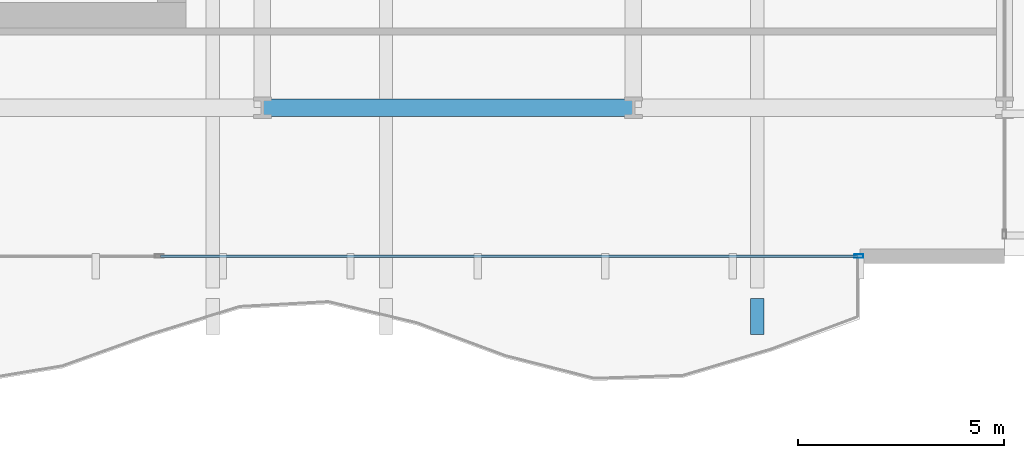
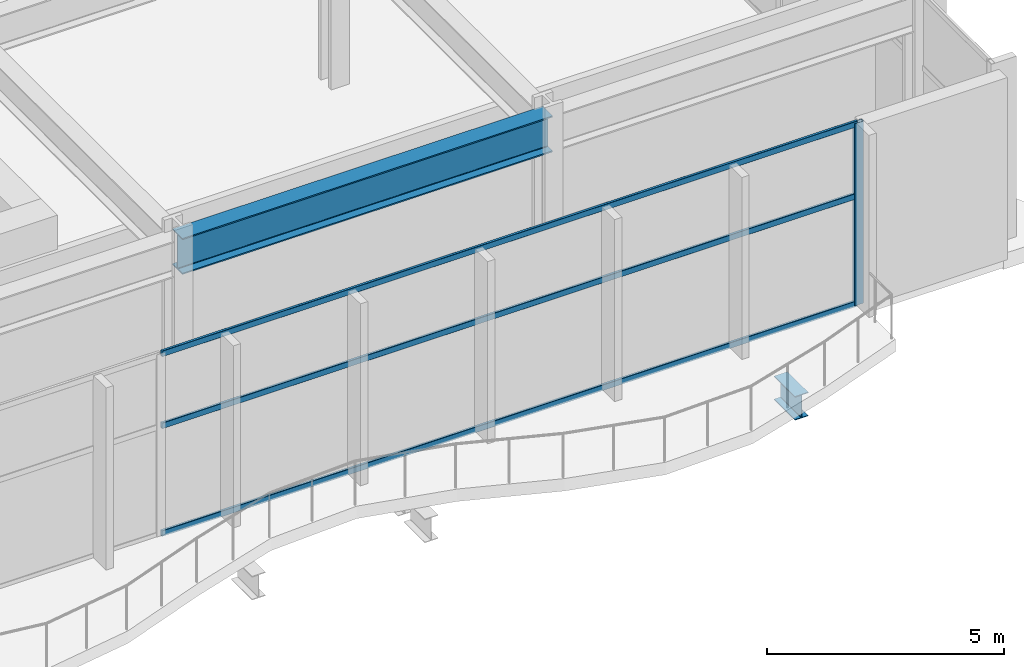
# One storey, part 8 of 28: 4 members, 2 beams, 1 element without a shape of its own.
"""IFC4 building model written with IfcOpenShell, lengths in metres."""

import ifcopenshell
import ifcopenshell.guid

model = None  # the IFC model being written
_history = None  # IfcOwnerHistory: only IFC2X3 demands one
_inside = {}  # id of a spatial element -> (the spatial element, [elements in it])
_under = {}  # id of a project, library or spatial element -> (it, [spatial elements below it])
_declared = {}  # id of a project -> (the project, [libraries it declares])
_typed = {}  # id of a type object -> (the type object, [elements of that type])
_made_of = {}  # id of a material, layer set ... -> (it, [elements and type objects made of it])


def new_model(schema):
    """Start an empty IFC model of exactly this schema.

    Asked for "IFC4X3", IfcOpenShell would pick the latest addendum, in which some entities
    have other attributes; the version numbers below select the first issue.
    IFC2X3 requires an IfcOwnerHistory on every rooted entity: one is made here for all.
    """
    global model, _history
    if schema == "IFC4X3":
        model = ifcopenshell.file(schema_version=(4, 3, 0, 0))
    else:
        model = ifcopenshell.file(schema=schema)
    _inside.clear()
    _under.clear()
    _declared.clear()
    _typed.clear()
    _made_of.clear()
    _history = None
    if model.schema == "IFC2X3":
        org = make("IfcOrganization", Name="unknown")
        user = make(
            "IfcPersonAndOrganization",
            ThePerson=make("IfcPerson", FamilyName="unknown"),
            TheOrganization=org,
        )
        app = make(
            "IfcApplication",
            ApplicationDeveloper=org,
            Version="unknown",
            ApplicationFullName="unknown",
            ApplicationIdentifier="unknown",
        )
        _history = make(
            "IfcOwnerHistory",
            OwningUser=user,
            OwningApplication=app,
            ChangeAction="ADDED",
            CreationDate=0,
        )
    return model


def make(cls, **values):
    """One entity of the class cls with the attributes given. An attribute that is None is left unset."""
    return model.create_entity(
        cls, **{name: value for name, value in values.items() if value is not None}
    )


def rooted(cls, **values):
    """An entity with a GlobalId (a new one), such as an element, a storey or a relation."""
    return make(cls, GlobalId=ifcopenshell.guid.new(), OwnerHistory=_history, **values)


def si_unit(unit_type, name, prefix=None):
    """IfcSIUnit, for example si_unit("LENGTHUNIT", "METRE", prefix="MILLI")."""
    return make("IfcSIUnit", UnitType=unit_type, Prefix=prefix, Name=name)


def assignment(units):
    """IfcUnitAssignment: the units of a project."""
    return None if units is None else make("IfcUnitAssignment", Units=units)


def point(xyz):
    """IfcCartesianPoint."""
    return None if xyz is None else make("IfcCartesianPoint", Coordinates=xyz)


def direction(xyz):
    """IfcDirection."""
    return None if xyz is None else make("IfcDirection", DirectionRatios=xyz)


def frame(location, z_axis=None, x_axis=None):
    """IfcAxis2Placement3D, a coordinate frame: its origin and axes. An axis left out is left unset."""
    return make(
        "IfcAxis2Placement3D",
        Location=point(location),
        Axis=direction(z_axis),
        RefDirection=direction(x_axis),
    )


def frame_2d(location, x_axis=None):
    """IfcAxis2Placement2D, a coordinate frame in the plane: its origin and x axis."""
    return make(
        "IfcAxis2Placement2D", Location=point(location), RefDirection=direction(x_axis)
    )


def origin():
    """The frame at (0, 0, 0) with its axes left unset."""
    return frame((0.0, 0.0, 0.0))


def origin_2d():
    """The frame at (0, 0) in the plane with its x axis left unset."""
    return frame_2d((0.0, 0.0))


def place(relative_to, where):
    """IfcLocalPlacement: puts the frame where relative to a parent placement (None: the world)."""
    return make(
        "IfcLocalPlacement", PlacementRelTo=relative_to, RelativePlacement=where
    )


def context(
    kind, dimensions, precision=None, world=None, true_north=None, identifier=None
):
    """IfcGeometricRepresentationContext, for example the 3D "Model" context."""
    return make(
        "IfcGeometricRepresentationContext",
        ContextIdentifier=identifier,
        ContextType=kind,
        CoordinateSpaceDimension=dimensions,
        Precision=precision,
        WorldCoordinateSystem=world,
        TrueNorth=true_north,
    )


def subcontext(parent, identifier, kind, view, scale=None):
    """IfcGeometricRepresentationSubContext, for example "Body" below "Model"."""
    return make(
        "IfcGeometricRepresentationSubContext",
        ContextIdentifier=identifier,
        ContextType=kind,
        ParentContext=parent,
        TargetScale=scale,
        TargetView=view,
    )


def project(units=None, contexts=None):
    """IfcProject with its units and contexts."""
    return rooted(
        "IfcProject",
        Name="project",
        RepresentationContexts=contexts,
        UnitsInContext=assignment(units),
    )


def spatial(cls, under=None, at=None, **own):
    """A site, building, storey or space (cls), placed at a placement, below another one or the project."""
    s = rooted(cls, ObjectPlacement=at, **own)
    if under is not None:
        _under.setdefault(under.id(), (under, []))[1].append(s)
    return s


def profile(cls, at=None, kind="AREA", **sizes):
    """A parametric profile (cls). Its sizes go by their IFC names, for example OverallWidth=200.0."""
    return make(cls, ProfileType=kind, Position=at, **sizes)


def hollow_rectangle(**sizes):
    """IfcRectangleHollowProfileDef."""
    return profile("IfcRectangleHollowProfileDef", **sizes)


def i_section(**sizes):
    """IfcIShapeProfileDef."""
    return profile("IfcIShapeProfileDef", **sizes)


def extrude(swept, where, along, depth):
    """IfcExtrudedAreaSolid: the profile swept, set in the frame where, extruded along a direction by depth."""
    return make(
        "IfcExtrudedAreaSolid",
        SweptArea=swept,
        Position=where,
        ExtrudedDirection=direction(along),
        Depth=depth,
    )


def shape(context_of_items, identifier, shape_type, items):
    """IfcShapeRepresentation: the items that make up one representation, for example the "Body"."""
    return make(
        "IfcShapeRepresentation",
        ContextOfItems=context_of_items,
        RepresentationIdentifier=identifier,
        RepresentationType=shape_type,
        Items=items,
    )


def material(Name=None, Category=None):
    """IfcMaterial."""
    return make("IfcMaterial", Name=Name, Category=Category)


def layer(
    of_material, thickness, ventilated=None, Name=None, Category=None, Priority=None
):
    """IfcMaterialLayer: one layer of a wall or slab, of a material (None: an air gap)."""
    return make(
        "IfcMaterialLayer",
        Material=of_material,
        LayerThickness=thickness,
        IsVentilated=ventilated,
        Name=Name,
        Category=Category,
        Priority=Priority,
    )


def layer_set(layers, Name=None):
    """IfcMaterialLayerSet."""
    return make("IfcMaterialLayerSet", MaterialLayers=layers, LayerSetName=Name)


def material_profile(
    of_material, cross_section, Name=None, Category=None, Priority=None
):
    """IfcMaterialProfile: a cross section and its material."""
    return make(
        "IfcMaterialProfile",
        Name=Name,
        Material=of_material,
        Profile=cross_section,
        Priority=Priority,
        Category=Category,
    )


def profile_set(profiles, Name=None, composite=None):
    """IfcMaterialProfileSet."""
    return make(
        "IfcMaterialProfileSet",
        Name=Name,
        MaterialProfiles=profiles,
        CompositeProfile=composite,
    )


def made_of(thing, what):
    """Note that an element or type object is made of a material, layer set ...; save() writes the relation."""
    if what is not None:
        _made_of.setdefault(what.id(), (what, []))[1].append(thing)
    return thing


def type_object(cls, material=None, **own):
    """A type object (cls), such as IfcWallType, which elements share."""
    return made_of(rooted(cls, **own), material)


def element(
    cls,
    number,
    at=None,
    inside=None,
    cuts=None,
    type_object=None,
    material=None,
    context=None,
    identifier="Body",
    shape_type=None,
    held_by="IfcProductDefinitionShape",
    body=None,
    shapes=None,
    **own,
):
    """One element of the class cls, such as IfcWall. Its Tag is "e" and its number.

    at: its placement. inside: the storey or other place that contains it. cuts: it is an
    opening in that element (IfcRelVoidsElement). A single representation is given by context,
    identifier, shape_type and body (its items); several are given by shapes. held_by: the class
    of the entity that holds the representations. save() writes the other relations.
    """
    e = rooted(cls, Tag="e%d" % number, ObjectPlacement=at, **own)
    if body is not None:
        shapes = [shape(context, identifier, shape_type, body)]
    if shapes is not None:
        e.Representation = make(held_by, Representations=shapes)
    if inside is not None:
        _inside.setdefault(inside.id(), (inside, []))[1].append(e)
    if cuts is not None:
        rooted(
            "IfcRelVoidsElement", RelatingBuildingElement=cuts, RelatedOpeningElement=e
        )
    if type_object is not None:
        _typed.setdefault(type_object.id(), (type_object, []))[1].append(e)
    return made_of(e, material)


def aggregate(whole, parts):
    """IfcRelAggregates: a whole, such as a stair, and the parts it consists of."""
    return rooted("IfcRelAggregates", RelatingObject=whole, RelatedObjects=parts)


def save(model, path):
    """Write the relations noted so far, then the file.

    IfcRelAggregates (storeys below a building ...), IfcRelContainedInSpatialStructure (elements
    in a storey), IfcRelDefinesByType, IfcRelAssociatesMaterial and IfcRelDeclares: one each for
    every whole, place, type object, material and project.
    """
    for whole, parts in _under.values():
        aggregate(whole, parts)
    for where, things in _inside.values():
        rooted(
            "IfcRelContainedInSpatialStructure",
            RelatedElements=things,
            RelatingStructure=where,
        )
    for kind, things in _typed.values():
        rooted("IfcRelDefinesByType", RelatedObjects=things, RelatingType=kind)
    for what, things in _made_of.values():
        rooted("IfcRelAssociatesMaterial", RelatedObjects=things, RelatingMaterial=what)
    for by, libraries in _declared.values():
        rooted("IfcRelDeclares", RelatingContext=by, RelatedDefinitions=libraries)
    model.write(path)


model = new_model("IFC4")

# Units and contexts
model_context = context("Model", 3, precision=1e-05, world=origin(), true_north=direction((0.0, 1.0)))
body_context = subcontext(model_context, "Body", "Model", "MODEL_VIEW")
ifc_project = project(units=[si_unit("LENGTHUNIT", "METRE"), si_unit("AREAUNIT", "SQUARE_METRE"), si_unit("VOLUMEUNIT", "CUBIC_METRE"), si_unit("PLANEANGLEUNIT", "RADIAN"), si_unit("MASSUNIT", "GRAM", prefix="KILO")], contexts=[model_context])

# Site, building, storey
site_placement = place(None, origin())
site = spatial("IfcSite", under=ifc_project, at=site_placement, CompositionType="ELEMENT")
building_placement = place(site_placement, origin())
building = spatial("IfcBuilding", under=site, at=building_placement, Name="Solvaryn Broadcast Tower", CompositionType="ELEMENT")
storey_placement = place(building_placement, frame((0.0, 0.0, 16.199951171875)))
storey = spatial("IfcBuildingStorey", under=building, at=storey_placement, Name="L03", CompositionType="ELEMENT", Elevation=16.199951171875)

# Beams
ifc_material_1 = material(Name="Steel ASTM A992 Grade 50", Category="steel")
ifc_material_profile_1 = material_profile(ifc_material_1, i_section(OverallWidth=0.323974609375, OverallDepth=0.611083984375, WebThickness=0.0126953125, FlangeThickness=0.01904296875, FilletRadius=0.014892578125, at=origin_2d()))
ifc_profile_set_1 = profile_set([ifc_material_profile_1], Name="Steel ASTM A992 Grade 50")
beam_type_1 = type_object("IfcBeamType", Name="BM-CANT-TER", PredefinedType="BEAM", material=ifc_profile_set_1)
beam_1_placement = place(storey_placement, frame((57.0, 4.375, -0.62548828125), z_axis=(0.0, -1.0, 0.0), x_axis=(1.0, 0.0, 0.0)))
element("IfcBeam", 1, at=beam_1_placement, inside=storey, type_object=beam_type_1, Name="L03 Terrace Cantilever Beam X57.0", PredefinedType="BEAM", context=body_context, shape_type="SweptSolid", body=[
    extrude(i_section(OverallWidth=0.323974609375, OverallDepth=0.611083984375, WebThickness=0.0126953125, FlangeThickness=0.01904296875, FilletRadius=0.014892578125, at=origin_2d()), origin(), (0.0, 0.0, 1.0), 0.875),
])
ifc_material_2 = material(Name="Steel ASTM A992 Grade 50", Category="steel")
ifc_material_profile_2 = material_profile(ifc_material_2, i_section(OverallWidth=0.41796875, OverallDepth=0.927001953125, WebThickness=0.019287109375, FlangeThickness=0.031982421875, FilletRadius=0.02392578125, at=origin_2d()))
ifc_profile_set_2 = profile_set([ifc_material_profile_2], Name="Steel ASTM A992 Grade 50")
beam_type_2 = type_object("IfcBeamType", Name="BM-G2-W36X231", PredefinedType="BEAM", material=ifc_profile_set_2)
beam_2_placement = place(storey_placement, frame((45.0, 9.0, 4.216552734375), z_axis=(1.0, 0.0, 0.0), x_axis=(0.0, 1.0, 0.0)))
element("IfcBeam", 2, at=beam_2_placement, inside=storey, type_object=beam_type_2, Name="L03 Primary Beam X (45-54 @ Y=9)", PredefinedType="BEAM", context=body_context, shape_type="SweptSolid", body=[
    extrude(i_section(OverallWidth=0.41796875, OverallDepth=0.927001953125, WebThickness=0.019287109375, FlangeThickness=0.031982421875, FilletRadius=0.02392578125, at=origin_2d()), origin(), (0.0, 0.0, 1.0), 9.0),
])

# Curtain wall, members
ifc_material_3 = material(Name="Aluminium and Terracotta Unitised Curtain Wall", Category="masonry")
ifc_layer = layer(ifc_material_3, 0.219970703125)
ifc_layer_set = layer_set([ifc_layer], Name="CW-SYS1-PODIUM")
curtain_wall_type = type_object("IfcCurtainWallType", Name="CW-SYS1-PODIUM", PredefinedType="NOTDEFINED", material=ifc_layer_set)
curtain_wall_placement = place(storey_placement, origin())
curtain_wall = element("IfcCurtainWall", 3, at=curtain_wall_placement, inside=storey, type_object=curtain_wall_type, Name="L03 Podium Curtain Wall S1", PredefinedType="NOTDEFINED")
ifc_material_4 = material(Name="Anodised Aluminium 6063-T6", Category="aluminium")
ifc_material_profile_3 = material_profile(ifc_material_4, hollow_rectangle(XDim=0.0849609375, YDim=0.219970703125, WallThickness=0.0048828125, InnerFilletRadius=0.0048828125, OuterFilletRadius=0.010009765625, at=origin_2d()))
ifc_profile_set_3 = profile_set([ifc_material_profile_3], Name="Anodised Aluminium 6063-T6")
member_type_1 = type_object("IfcMemberType", Name="CW-MUL-220", PredefinedType="MULLION", material=ifc_profile_set_3)
member_1_placement = place(storey_placement, frame((59.469970703125, 5.39990234375, 0.0), z_axis=(0.0, 0.0, 1.0), x_axis=(0.0, -1.0, 0.0)))
member_1 = element("IfcMember", 4, at=member_1_placement, type_object=member_type_1, Name="CWS1 mullion 1", PredefinedType="MULLION", context=body_context, shape_type="SweptSolid", body=[
    extrude(hollow_rectangle(XDim=0.0849609375, YDim=0.219970703125, WallThickness=0.0048828125, InnerFilletRadius=0.0048828125, OuterFilletRadius=0.010009765625, at=origin_2d()), origin(), (0.0, 0.0, 1.0), 4.679931640625),
])
ifc_material_5 = material(Name="Anodised Aluminium 6063-T6", Category="aluminium")
ifc_material_profile_4 = material_profile(ifc_material_5, hollow_rectangle(XDim=0.06494140625, YDim=0.14990234375, WallThickness=0.00390625, InnerFilletRadius=0.00390625, OuterFilletRadius=0.008056640625, at=origin_2d()))
ifc_profile_set_4 = profile_set([ifc_material_profile_4], Name="Anodised Aluminium 6063-T6")
member_type_2 = type_object("IfcMemberType", Name="CW-TRN-150", PredefinedType="USERDEFINED", material=ifc_profile_set_4)
member_2_placement = place(storey_placement, frame((59.43994140625, 5.39990234375, 0.030029296875), z_axis=(-1.0, 0.0, 0.0), x_axis=(0.0, -1.0, 0.0)))
member_2 = element("IfcMember", 5, at=member_2_placement, type_object=member_type_2, Name="CWS1 transom 1.1", ObjectType="TRANSOM", PredefinedType="USERDEFINED", context=body_context, shape_type="SweptSolid", body=[
    extrude(hollow_rectangle(XDim=0.06494140625, YDim=0.14990234375, WallThickness=0.00390625, InnerFilletRadius=0.00390625, OuterFilletRadius=0.008056640625, at=origin_2d()), origin(), (0.0, 0.0, 1.0), 16.909912109375),
])
member_3_placement = place(storey_placement, frame((59.43994140625, 5.39990234375, 2.800048828125), z_axis=(-1.0, 0.0, 0.0), x_axis=(0.0, -1.0, 0.0)))
member_3 = element("IfcMember", 6, at=member_3_placement, type_object=member_type_2, Name="CWS1 transom 1.2", ObjectType="TRANSOM", PredefinedType="USERDEFINED", context=body_context, shape_type="SweptSolid", body=[
    extrude(hollow_rectangle(XDim=0.06494140625, YDim=0.14990234375, WallThickness=0.00390625, InnerFilletRadius=0.00390625, OuterFilletRadius=0.008056640625, at=origin_2d()), origin(), (0.0, 0.0, 1.0), 16.909912109375),
])
member_4_placement = place(storey_placement, frame((59.43994140625, 5.39990234375, 4.650146484375), z_axis=(-1.0, 0.0, 0.0), x_axis=(0.0, -1.0, 0.0)))
member_4 = element("IfcMember", 7, at=member_4_placement, type_object=member_type_2, Name="CWS1 transom 1.3", ObjectType="TRANSOM", PredefinedType="USERDEFINED", context=body_context, shape_type="SweptSolid", body=[
    extrude(hollow_rectangle(XDim=0.06494140625, YDim=0.14990234375, WallThickness=0.00390625, InnerFilletRadius=0.00390625, OuterFilletRadius=0.008056640625, at=origin_2d()), origin(), (0.0, 0.0, 1.0), 16.909912109375),
])
aggregate(curtain_wall, [member_1, member_2, member_3, member_4])

save(model, "model.ifc")
